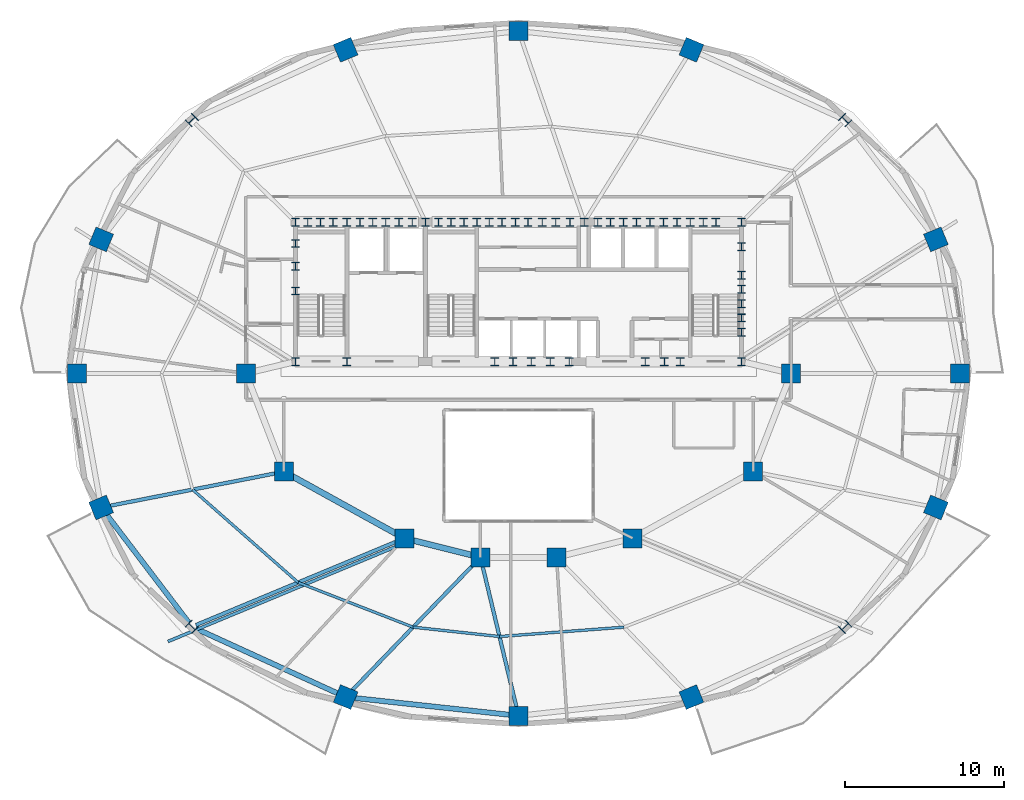
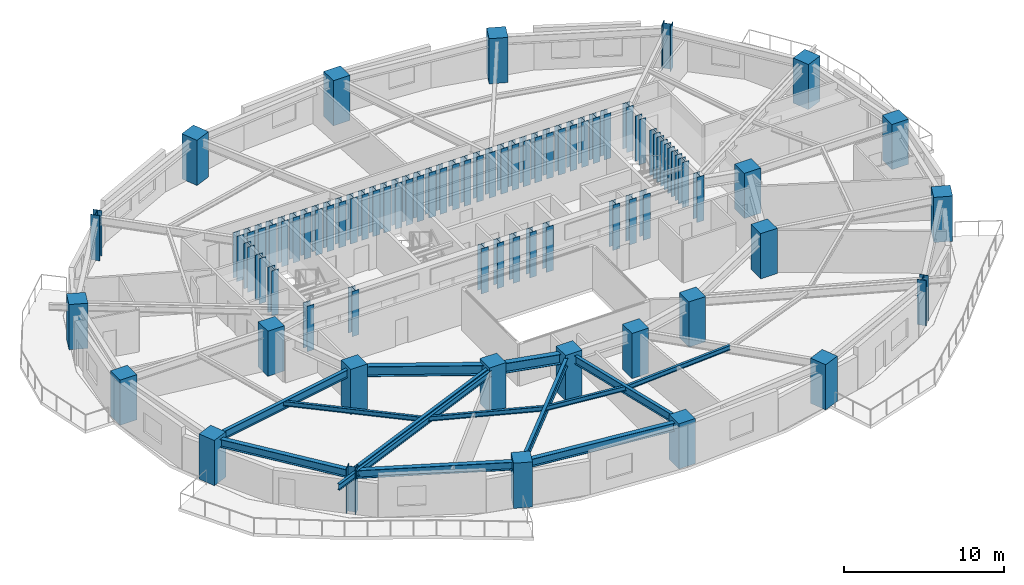
# One storey, part 1 of 13: 78 columns, 14 beams.
"""IFC4 building model written with IfcOpenShell, lengths in metres."""

from ifc_helpers import new_model, si_unit, direction, frame, origin, origin_2d, place, context, subcontext, project, spatial, rectangle, i_section, extrude, material, material_profile, profile_set, type_object, element, save


model = new_model("IFC4")

# Units and contexts
model_context = context("Model", 3, precision=1e-05, world=origin(), true_north=direction((0.0, 1.0)))
body_context = subcontext(model_context, "Body", "Model", "MODEL_VIEW")
ifc_project = project(units=[si_unit("LENGTHUNIT", "METRE"), si_unit("AREAUNIT", "SQUARE_METRE"), si_unit("VOLUMEUNIT", "CUBIC_METRE"), si_unit("PLANEANGLEUNIT", "RADIAN"), si_unit("MASSUNIT", "GRAM", prefix="KILO")], contexts=[model_context])

# Site, building, storey
site_placement = place(None, origin())
site = spatial("IfcSite", under=ifc_project, at=site_placement, CompositionType="ELEMENT")
building_placement = place(site_placement, origin())
building = spatial("IfcBuilding", under=site, at=building_placement, Name="Haldorwick Loom Tower", CompositionType="ELEMENT")
storey_placement = place(building_placement, frame((0.0, 0.0, 124.25)))
storey = spatial("IfcBuildingStorey", under=building, at=storey_placement, Name="L33", CompositionType="ELEMENT", Elevation=124.25)

# Columns
ifc_material_1 = material(Name="Concrete C60 (60 MPa)", Category="concrete")
ifc_material_profile_1 = material_profile(ifc_material_1, rectangle(XDim=1.199951171875, YDim=1.199951171875, at=origin_2d()), Name="RC1200X1200", Category="concrete")
ifc_profile_set_1 = profile_set([ifc_material_profile_1], Name="Concrete C60 (60 MPa)")
column_type_1 = type_object("IfcColumnType", Name="STR-COL-RC1200", PredefinedType="COLUMN", material=ifc_profile_set_1)
for number, where, z_axis, x_axis, name in (
    (1, (53.199951171875, 26.0, 0.0), (0.0, 0.0, 1.0), (1.0, 0.0, 0.0), "L33 Inner Column IC-01"),
    (2, (50.800048828125, 19.800048828125, 0.0), (0.0, 0.0, 1.0), (1.0, 0.0, 0.0), "L33 Inner Column IC-02"),
    (3, (43.199951171875, 15.60009765625, 0.0), (0.0, 0.0, 1.0), (1.0, 0.0, 0.0), "L33 Inner Column IC-03"),
    (4, (38.39990234375, 14.39990234375, 0.0), (0.0, 0.0, 1.0), (1.0, 0.0, 0.0), "L33 Inner Column IC-04"),
    (5, (33.60009765625, 14.39990234375, 0.0), (0.0, 0.0, 1.0), (1.0, 0.0, 0.0), "L33 Inner Column IC-05"),
    (6, (28.800048828125, 15.60009765625, 0.0), (0.0, 0.0, 1.0), (1.0, 0.0, 0.0), "L33 Inner Column IC-06"),
    (7, (21.199951171875, 19.800048828125, 0.0), (0.0, 0.0, 1.0), (1.0, 0.0, 0.0), "L33 Inner Column IC-07"),
    (8, (18.800048828125, 26.0, 0.0), (0.0, 0.0, 1.0), (1.0, 0.0, 0.0), "L33 Inner Column IC-08"),
    (9, (63.857666015625, 26.0, 0.0), (0.0, 0.0, 1.0), (1.0, 0.0, 0.0), "L33 Perimeter Pier Column P01"),
    (10, (62.33056640625, 34.457275390625, 0.0), (0.0, 0.0, 1.0), (0.923879532511, 0.382683432365, 0.0), "L33 Perimeter Pier Column P02"),
    (11, (46.906494140625, 46.417724609375, 0.0), (0.0, 0.0, 1.0), (0.382683432365, 0.923879532511, 0.0), "L33 Perimeter Pier Column P04"),
    (12, (36.0, 47.598388671875, 0.0), (0.0, 0.0, 1.0), (0.0, 1.0, 0.0), "L33 Perimeter Pier Column P05"),
    (13, (25.093505859375, 46.417724609375, 0.0), (0.0, 0.0, 1.0), (-0.382683432365, 0.923879532511, 0.0), "L33 Perimeter Pier Column P06"),
    (14, (9.66943359375, 34.457275390625, 0.0), (0.0, 0.0, 1.0), (-0.923879532511, 0.382683432365, 0.0), "L33 Perimeter Pier Column P08"),
    (15, (8.142333984375, 26.0, 0.0), (0.0, 0.0, 1.0), (-1.0, 0.0, 0.0), "L33 Perimeter Pier Column P09"),
    (16, (9.66943359375, 17.542724609375, 0.0), (0.0, 0.0, 1.0), (-0.923879532511, -0.382683432365, 0.0), "L33 Perimeter Pier Column P10"),
    (17, (25.093505859375, 5.582275390625, 0.0), (0.0, 0.0, 1.0), (-0.382683432365, -0.923879532511, 0.0), "L33 Perimeter Pier Column P12"),
    (18, (36.0, 4.401611328125, 0.0), (0.0, 0.0, 1.0), (0.0, -1.0, 0.0), "L33 Perimeter Pier Column P13"),
    (19, (46.906494140625, 5.582275390625, 0.0), (0.0, 0.0, 1.0), (0.382683432365, -0.923879532511, 0.0), "L33 Perimeter Pier Column P14"),
    (20, (62.33056640625, 17.542724609375, 0.0), (0.0, 0.0, 1.0), (0.923879532511, -0.382683432365, 0.0), "L33 Perimeter Pier Column P16"),
):
    element("IfcColumn", number, at=place(storey_placement, frame(where, z_axis=z_axis, x_axis=x_axis)), inside=storey, type_object=column_type_1, Name=name, PredefinedType="COLUMN", context=body_context, shape_type="SweptSolid", body=[
        extrude(rectangle(XDim=1.199951171875, YDim=1.199951171875, at=origin_2d()), origin(), (0.0, 0.0, 1.0), 3.449951171875),
    ])
ifc_material_2 = material(Name="Steel CSA G40.21 350WT", Category="steel")
ifc_material_profile_2 = material_profile(ifc_material_2, i_section(OverallWidth=0.5, OverallDepth=0.5, WebThickness=0.02197265625, FlangeThickness=0.031982421875, at=origin_2d()), Name="WWF500X500", Category="steel")
ifc_profile_set_2 = profile_set([ifc_material_profile_2], Name="Steel CSA G40.21 350WT")
column_type_2 = type_object("IfcColumnType", Name="STR-COL-WWF500", PredefinedType="COLUMN", material=ifc_profile_set_2)
for number, where, z_axis, x_axis, name in (
    (21, (21.929931640625, 35.550048828125, 0.0), (0.0, 0.0, 1.0), (1.0, 0.0, 0.0), "L33 Core Pilaster CB-01"),
    (22, (23.5, 35.550048828125, 0.0), (0.0, 0.0, 1.0), (1.0, 0.0, 0.0), "L33 Core Pilaster CB-02"),
    (23, (25.169921875, 35.550048828125, 0.0), (0.0, 0.0, 1.0), (1.0, 0.0, 0.0), "L33 Core Pilaster CB-03"),
    (24, (26.800048828125, 35.550048828125, 0.0), (0.0, 0.0, 1.0), (1.0, 0.0, 0.0), "L33 Core Pilaster CB-04"),
    (25, (28.449951171875, 35.550048828125, 0.0), (0.0, 0.0, 1.0), (1.0, 0.0, 0.0), "L33 Core Pilaster CB-05"),
    (26, (30.1298828125, 35.550048828125, 0.0), (0.0, 0.0, 1.0), (1.0, 0.0, 0.0), "L33 Core Pilaster CB-06"),
    (27, (31.75, 35.550048828125, 0.0), (0.0, 0.0, 1.0), (1.0, 0.0, 0.0), "L33 Core Pilaster CB-07"),
    (28, (33.3701171875, 35.550048828125, 0.0), (0.0, 0.0, 1.0), (1.0, 0.0, 0.0), "L33 Core Pilaster CB-08"),
    (29, (34.949951171875, 35.550048828125, 0.0), (0.0, 0.0, 1.0), (1.0, 0.0, 0.0), "L33 Core Pilaster CB-09"),
    (30, (36.60009765625, 35.550048828125, 0.0), (0.0, 0.0, 1.0), (1.0, 0.0, 0.0), "L33 Core Pilaster CB-10"),
    (31, (38.35009765625, 35.550048828125, 0.0), (0.0, 0.0, 1.0), (1.0, 0.0, 0.0), "L33 Core Pilaster CB-11"),
    (32, (40.14990234375, 35.550048828125, 0.0), (0.0, 0.0, 1.0), (1.0, 0.0, 0.0), "L33 Core Pilaster CB-12"),
    (33, (41.800048828125, 35.550048828125, 0.0), (0.0, 0.0, 1.0), (1.0, 0.0, 0.0), "L33 Core Pilaster CB-13"),
    (34, (43.449951171875, 35.550048828125, 0.0), (0.0, 0.0, 1.0), (1.0, 0.0, 0.0), "L33 Core Pilaster CB-14"),
    (35, (45.14990234375, 35.550048828125, 0.0), (0.0, 0.0, 1.0), (1.0, 0.0, 0.0), "L33 Core Pilaster CB-15"),
    (36, (46.830078125, 35.550048828125, 0.0), (0.0, 0.0, 1.0), (1.0, 0.0, 0.0), "L33 Core Pilaster CB-16"),
    (37, (48.449951171875, 35.550048828125, 0.0), (0.0, 0.0, 1.0), (1.0, 0.0, 0.0), "L33 Core Pilaster CB-17"),
    (38, (50.070068359375, 35.550048828125, 0.0), (0.0, 0.0, 1.0), (1.0, 0.0, 0.0), "L33 Core Pilaster CB-18"),
    (39, (21.929931640625, 26.75, 0.0), (0.0, 0.0, 1.0), (1.0, 0.0, 0.0), "L33 Core Pilaster CB-19"),
    (40, (25.169921875, 26.75, 0.0), (0.0, 0.0, 1.0), (1.0, 0.0, 0.0), "L33 Core Pilaster CB-20"),
    (41, (34.5, 26.75, 0.0), (0.0, 0.0, 1.0), (1.0, 0.0, 0.0), "L33 Core Pilaster CB-21"),
    (42, (36.800048828125, 26.75, 0.0), (0.0, 0.0, 1.0), (1.0, 0.0, 0.0), "L33 Core Pilaster CB-22"),
    (43, (39.199951171875, 26.75, 0.0), (0.0, 0.0, 1.0), (1.0, 0.0, 0.0), "L33 Core Pilaster CB-23"),
    (44, (45.199951171875, 26.75, 0.0), (0.0, 0.0, 1.0), (1.0, 0.0, 0.0), "L33 Core Pilaster CB-24"),
    (45, (50.070068359375, 26.75, 0.0), (0.0, 0.0, 1.0), (1.0, 0.0, 0.0), "L33 Core Pilaster CB-25"),
    (46, (21.929931640625, 31.199951171875, 0.0), (0.0, 0.0, 1.0), (1.0, 0.0, 0.0), "L33 Core Pilaster CB-26"),
    (47, (21.929931640625, 32.75, 0.0), (0.0, 0.0, 1.0), (1.0, 0.0, 0.0), "L33 Core Pilaster CB-27"),
    (48, (21.929931640625, 34.199951171875, 0.0), (0.0, 0.0, 1.0), (1.0, 0.0, 0.0), "L33 Core Pilaster CB-28"),
    (49, (50.070068359375, 28.60009765625, 0.0), (0.0, 0.0, 1.0), (1.0, 0.0, 0.0), "L33 Core Pilaster CB-29"),
    (50, (50.070068359375, 30.39990234375, 0.0), (0.0, 0.0, 1.0), (1.0, 0.0, 0.0), "L33 Core Pilaster CB-30"),
    (51, (50.070068359375, 32.199951171875, 0.0), (0.0, 0.0, 1.0), (1.0, 0.0, 0.0), "L33 Core Pilaster CB-31"),
    (52, (50.070068359375, 34.0, 0.0), (0.0, 0.0, 1.0), (1.0, 0.0, 0.0), "L33 Core Pilaster CB-32"),
    (53, (22.699951171875, 35.550048828125, 0.0), (0.0, 0.0, 1.0), (1.0, 0.0, 0.0), "L33 Core Pilaster CB-33"),
    (54, (27.6201171875, 35.550048828125, 0.0), (0.0, 0.0, 1.0), (1.0, 0.0, 0.0), "L33 Core Pilaster CB-34"),
    (55, (32.550048828125, 35.550048828125, 0.0), (0.0, 0.0, 1.0), (1.0, 0.0, 0.0), "L33 Core Pilaster CB-35"),
    (56, (37.5, 35.550048828125, 0.0), (0.0, 0.0, 1.0), (1.0, 0.0, 0.0), "L33 Core Pilaster CB-36"),
    (57, (42.6201171875, 35.550048828125, 0.0), (0.0, 0.0, 1.0), (1.0, 0.0, 0.0), "L33 Core Pilaster CB-37"),
    (58, (47.64990234375, 35.550048828125, 0.0), (0.0, 0.0, 1.0), (1.0, 0.0, 0.0), "L33 Core Pilaster CB-38"),
    (59, (24.300048828125, 35.550048828125, 0.0), (0.0, 0.0, 1.0), (1.0, 0.0, 0.0), "L33 Core Pilaster CB-39"),
    (60, (26.0, 35.550048828125, 0.0), (0.0, 0.0, 1.0), (1.0, 0.0, 0.0), "L33 Core Pilaster CB-40"),
    (61, (29.300048828125, 35.550048828125, 0.0), (0.0, 0.0, 1.0), (1.0, 0.0, 0.0), "L33 Core Pilaster CB-41"),
    (62, (30.949951171875, 35.550048828125, 0.0), (0.0, 0.0, 1.0), (1.0, 0.0, 0.0), "L33 Core Pilaster CB-42"),
    (63, (34.14990234375, 35.550048828125, 0.0), (0.0, 0.0, 1.0), (1.0, 0.0, 0.0), "L33 Core Pilaster CB-43"),
    (64, (35.800048828125, 35.550048828125, 0.0), (0.0, 0.0, 1.0), (1.0, 0.0, 0.0), "L33 Core Pilaster CB-44"),
    (65, (39.25, 35.550048828125, 0.0), (0.0, 0.0, 1.0), (1.0, 0.0, 0.0), "L33 Core Pilaster CB-45"),
    (66, (41.0, 35.550048828125, 0.0), (0.0, 0.0, 1.0), (1.0, 0.0, 0.0), "L33 Core Pilaster CB-46"),
    (67, (44.300048828125, 35.550048828125, 0.0), (0.0, 0.0, 1.0), (1.0, 0.0, 0.0), "L33 Core Pilaster CB-47"),
    (68, (46.0, 35.550048828125, 0.0), (0.0, 0.0, 1.0), (1.0, 0.0, 0.0), "L33 Core Pilaster CB-48"),
    (69, (50.070068359375, 29.5, 0.0), (0.0, 0.0, 1.0), (1.0, 0.0, 0.0), "L33 Core Pilaster CB-49"),
    (70, (50.070068359375, 31.300048828125, 0.0), (0.0, 0.0, 1.0), (1.0, 0.0, 0.0), "L33 Core Pilaster CB-50"),
    (71, (35.64990234375, 26.75, 0.0), (0.0, 0.0, 1.0), (1.0, 0.0, 0.0), "L33 Core Pilaster CB-51"),
    (72, (38.0, 26.75, 0.0), (0.0, 0.0, 1.0), (1.0, 0.0, 0.0), "L33 Core Pilaster CB-52"),
    (73, (44.0, 26.75, 0.0), (0.0, 0.0, 1.0), (1.0, 0.0, 0.0), "L33 Core Pilaster CB-53"),
    (74, (46.199951171875, 26.75, 0.0), (0.0, 0.0, 1.0), (1.0, 0.0, 0.0), "L33 Core Pilaster CB-54"),
):
    element("IfcColumn", number, at=place(storey_placement, frame(where, z_axis=z_axis, x_axis=x_axis)), inside=storey, type_object=column_type_2, Name=name, PredefinedType="COLUMN", context=body_context, shape_type="SweptSolid", body=[
        extrude(i_section(OverallWidth=0.5, OverallDepth=0.5, WebThickness=0.02197265625, FlangeThickness=0.031982421875, at=origin_2d()), origin(), (0.0, 0.0, 1.0), 3.449951171875),
    ])
ifc_material_profile_3 = material_profile(ifc_material_2, i_section(OverallWidth=0.60009765625, OverallDepth=0.60009765625, WebThickness=0.02490234375, FlangeThickness=0.035888671875, at=origin_2d()), Name="WWF600X600", Category="steel")
ifc_profile_set_3 = profile_set([ifc_material_profile_3], Name="Steel CSA G40.21 350WT")
column_type_3 = type_object("IfcColumnType", Name="STR-COL-WWF600", PredefinedType="COLUMN", material=ifc_profile_set_3)
for number, where, z_axis, x_axis, name in (
    (75, (56.606689453125, 41.981689453125, 0.0), (0.0, 0.0, 1.0), (0.707106781187, 0.707106781187, 0.0), "L33 Perimeter Pier Column P03"),
    (76, (15.393310546875, 41.981689453125, 0.0), (0.0, 0.0, 1.0), (-0.707106781187, 0.707106781187, 0.0), "L33 Perimeter Pier Column P07"),
    (77, (15.393310546875, 10.018310546875, 0.0), (0.0, 0.0, 1.0), (-0.707106781187, -0.707106781187, 0.0), "L33 Perimeter Pier Column P11"),
    (78, (56.606689453125, 10.018310546875, 0.0), (0.0, 0.0, 1.0), (0.707106781187, -0.707106781187, 0.0), "L33 Perimeter Pier Column P15"),
):
    element("IfcColumn", number, at=place(storey_placement, frame(where, z_axis=z_axis, x_axis=x_axis)), inside=storey, type_object=column_type_3, Name=name, PredefinedType="COLUMN", context=body_context, shape_type="SweptSolid", body=[
        extrude(i_section(OverallWidth=0.60009765625, OverallDepth=0.60009765625, WebThickness=0.02490234375, FlangeThickness=0.035888671875, at=origin_2d()), origin(), (0.0, 0.0, 1.0), 3.449951171875),
    ])

# Beams
ifc_material_3 = material(Name="Steel CSA G40.21 350W", Category="steel")
ifc_material_profile_4 = material_profile(ifc_material_3, i_section(OverallWidth=0.193115234375, OverallDepth=0.466064453125, WebThickness=0.011474609375, FlangeThickness=0.01904296875, at=origin_2d()), Name="W460X97", Category="steel")
ifc_profile_set_4 = profile_set([ifc_material_profile_4], Name="Steel CSA G40.21 350W")
beam_type_1 = type_object("IfcBeamType", Name="STR-BM-BAL460", PredefinedType="BEAM", material=ifc_profile_set_4)
beam_1_placement = place(storey_placement, frame((28.427490234375, 15.1416015625, 2.97705078125), z_axis=(-0.923185561192, -0.38435454935, 0.0), x_axis=(0.38435454935, -0.923185561192, 0.0)))
element("IfcBeam", 79, at=beam_1_placement, inside=storey, type_object=beam_type_1, Name="L33 Continuous Back-Spanned Balcony Beam 2", PredefinedType="BEAM", context=body_context, shape_type="SweptSolid", body=[
    extrude(i_section(OverallWidth=0.193115234375, OverallDepth=0.466064453125, WebThickness=0.011474609375, FlangeThickness=0.01904296875, at=origin_2d()), origin(), (0.0, 0.0, 1.0), 15.752197265625),
])
ifc_material_profile_5 = material_profile(ifc_material_3, i_section(OverallWidth=0.172119140625, OverallDepth=0.35791015625, WebThickness=0.0078125, FlangeThickness=0.01318359375, at=origin_2d()), Name="W360X57", Category="steel")
ifc_profile_set_5 = profile_set([ifc_material_profile_5], Name="Steel CSA G40.21 350W")
beam_type_2 = type_object("IfcBeamType", Name="STR-BM-J360", PredefinedType="JOIST", material=ifc_profile_set_5)
beam_2_placement = place(storey_placement, frame((15.434814453125, 18.67138671875, 3.031005859375), z_axis=(0.750721157729, -0.660619212057, 0.0), x_axis=(0.660619212057, 0.750721157729, 0.0)))
element("IfcBeam", 80, at=beam_2_placement, inside=storey, type_object=beam_type_2, Name="L33 Mid-Bay Secondary Joist 10", PredefinedType="JOIST", context=body_context, shape_type="SweptSolid", body=[
    extrude(i_section(OverallWidth=0.172119140625, OverallDepth=0.35791015625, WebThickness=0.0078125, FlangeThickness=0.01318359375, at=origin_2d()), origin(), (0.0, 0.0, 1.0), 8.8740234375),
])
beam_3_placement = place(storey_placement, frame((22.0966796875, 12.80908203125, 3.031005859375), z_axis=(0.932072983051, -0.362270553959, 0.0), x_axis=(0.362270553959, 0.932072983051, 0.0)))
element("IfcBeam", 81, at=beam_3_placement, inside=storey, type_object=beam_type_2, Name="L33 Mid-Bay Secondary Joist 11", PredefinedType="JOIST", context=body_context, shape_type="SweptSolid", body=[
    extrude(i_section(OverallWidth=0.172119140625, OverallDepth=0.35791015625, WebThickness=0.0078125, FlangeThickness=0.01318359375, at=origin_2d()), origin(), (0.0, 0.0, 1.0), 7.7783203125),
])
beam_4_placement = place(storey_placement, frame((29.3466796875, 9.9912109375, 3.031005859375), z_axis=(0.994191869342, -0.107622148904, 0.0), x_axis=(0.107622148904, 0.994191869342, 0.0)))
element("IfcBeam", 82, at=beam_4_placement, inside=storey, type_object=beam_type_2, Name="L33 Mid-Bay Secondary Joist 12", PredefinedType="JOIST", context=body_context, shape_type="SweptSolid", body=[
    extrude(i_section(OverallWidth=0.172119140625, OverallDepth=0.35791015625, WebThickness=0.0078125, FlangeThickness=0.01318359375, at=origin_2d()), origin(), (0.0, 0.0, 1.0), 5.485107421875),
])
beam_5_placement = place(storey_placement, frame((34.800048828125, 9.40087890625, 3.031005859375), z_axis=(0.99718663731, 0.074958724439, 0.0), x_axis=(-0.074958724439, 0.99718663731, 0.0)))
element("IfcBeam", 83, at=beam_5_placement, inside=storey, type_object=beam_type_2, Name="L33 Mid-Bay Secondary Joist 13", PredefinedType="JOIST", context=body_context, shape_type="SweptSolid", body=[
    extrude(i_section(OverallWidth=0.172119140625, OverallDepth=0.35791015625, WebThickness=0.0078125, FlangeThickness=0.01318359375, at=origin_2d()), origin(), (0.0, 0.0, 1.0), 7.87548828125),
])
ifc_material_profile_6 = material_profile(ifc_material_3, i_section(OverallWidth=0.324951171875, OverallDepth=0.615966796875, WebThickness=0.013916015625, FlangeThickness=0.021484375, at=origin_2d()), Name="W610X174", Category="steel")
ifc_profile_set_6 = profile_set([ifc_material_profile_6], Name="Steel CSA G40.21 350W")
beam_type_3 = type_object("IfcBeamType", Name="STR-BM-SP610", PredefinedType="SPANDREL", material=ifc_profile_set_6)
beam_6_placement = place(storey_placement, frame((9.984130859375, 17.12890625, 2.902099609375), z_axis=(0.605453508047, -0.795880675475, 0.0), x_axis=(0.795880675475, 0.605453508047, 0.0)))
element("IfcBeam", 84, at=beam_6_placement, inside=storey, type_object=beam_type_3, Name="L33 Perimeter Spandrel 10", PredefinedType="SPANDREL", context=body_context, shape_type="SweptSolid", body=[
    extrude(i_section(OverallWidth=0.324951171875, OverallDepth=0.615966796875, WebThickness=0.013916015625, FlangeThickness=0.021484375, at=origin_2d()), origin(), (0.0, 0.0, 1.0), 8.6591796875),
])
beam_7_placement = place(storey_placement, frame((15.643310546875, 9.90380859375, 2.902099609375), z_axis=(0.909423969306, -0.415870225011, 0.0), x_axis=(0.415870225011, 0.909423969306, 0.0)))
element("IfcBeam", 85, at=beam_7_placement, inside=storey, type_object=beam_type_3, Name="L33 Perimeter Spandrel 11", PredefinedType="SPANDREL", context=body_context, shape_type="SweptSolid", body=[
    extrude(i_section(OverallWidth=0.324951171875, OverallDepth=0.615966796875, WebThickness=0.013916015625, FlangeThickness=0.021484375, at=origin_2d()), origin(), (0.0, 0.0, 1.0), 9.871337890625),
])
beam_8_placement = place(storey_placement, frame((25.610595703125, 5.5263671875, 2.902099609375), z_axis=(0.994190135627, -0.107638163409, 0.0), x_axis=(0.107638163409, 0.994190135627, 0.0)))
element("IfcBeam", 86, at=beam_8_placement, inside=storey, type_object=beam_type_3, Name="L33 Perimeter Spandrel 12", PredefinedType="SPANDREL", context=body_context, shape_type="SweptSolid", body=[
    extrude(i_section(OverallWidth=0.324951171875, OverallDepth=0.615966796875, WebThickness=0.013916015625, FlangeThickness=0.021484375, at=origin_2d()), origin(), (0.0, 0.0, 1.0), 9.929931640625),
])
ifc_material_profile_7 = material_profile(ifc_material_3, i_section(OverallWidth=0.22998046875, OverallDepth=0.616943359375, WebThickness=0.01318359375, FlangeThickness=0.022216796875, at=origin_2d()), Name="W610X140", Category="steel")
ifc_profile_set_7 = profile_set([ifc_material_profile_7], Name="Steel CSA G40.21 350W")
beam_type_4 = type_object("IfcBeamType", Name="STR-BM-W610B", PredefinedType="BEAM", material=ifc_profile_set_7)
beam_9_placement = place(storey_placement, frame((20.689697265625, 19.7001953125, 2.901611328125), z_axis=(-0.981369581426, -0.192129499692, 0.0), x_axis=(0.192129499692, -0.981369581426, 0.0)))
element("IfcBeam", 87, at=beam_9_placement, inside=storey, type_object=beam_type_4, Name="L33 Radial Floor Girder 10", PredefinedType="BEAM", context=body_context, shape_type="SweptSolid", body=[
    extrude(i_section(OverallWidth=0.22998046875, OverallDepth=0.616943359375, WebThickness=0.01318359375, FlangeThickness=0.022216796875, at=origin_2d()), origin(), (0.0, 0.0, 1.0), 10.70947265625),
])
beam_10_placement = place(storey_placement, frame((28.31982421875, 15.400146484375, 2.901611328125), z_axis=(-0.923183704764, -0.384359008297, 0.0), x_axis=(0.384359008297, -0.923183704764, 0.0)))
element("IfcBeam", 88, at=beam_10_placement, inside=storey, type_object=beam_type_4, Name="L33 Radial Floor Girder 11", PredefinedType="BEAM", context=body_context, shape_type="SweptSolid", body=[
    extrude(i_section(OverallWidth=0.22998046875, OverallDepth=0.616943359375, WebThickness=0.01318359375, FlangeThickness=0.022216796875, at=origin_2d()), origin(), (0.0, 0.0, 1.0), 13.72705078125),
])
beam_11_placement = place(storey_placement, frame((33.239013671875, 14.02587890625, 2.901611328125), z_axis=(-0.694287071595, -0.719698174387, 0.0), x_axis=(0.719698174387, -0.694287071595, 0.0)))
element("IfcBeam", 89, at=beam_11_placement, inside=storey, type_object=beam_type_4, Name="L33 Radial Floor Girder 12", PredefinedType="BEAM", context=body_context, shape_type="SweptSolid", body=[
    extrude(i_section(OverallWidth=0.22998046875, OverallDepth=0.616943359375, WebThickness=0.01318359375, FlangeThickness=0.022216796875, at=origin_2d()), origin(), (0.0, 0.0, 1.0), 11.212158203125),
])
beam_12_placement = place(storey_placement, frame((33.721435546875, 13.894287109375, 2.901611328125), z_axis=(0.233406920764, -0.972379148964, 0.0), x_axis=(0.972379148964, 0.233406920764, 0.0)))
element("IfcBeam", 90, at=beam_12_placement, inside=storey, type_object=beam_type_4, Name="L33 Radial Floor Girder 13", PredefinedType="BEAM", context=body_context, shape_type="SweptSolid", body=[
    extrude(i_section(OverallWidth=0.22998046875, OverallDepth=0.616943359375, WebThickness=0.01318359375, FlangeThickness=0.022216796875, at=origin_2d()), origin(), (0.0, 0.0, 1.0), 9.242431640625),
])
ifc_material_profile_8 = material_profile(ifc_material_3, i_section(OverallWidth=0.381103515625, OverallDepth=0.77294921875, WebThickness=0.0166015625, FlangeThickness=0.027587890625, at=origin_2d()), Name="W760X257", Category="steel")
ifc_profile_set_8 = profile_set([ifc_material_profile_8], Name="Steel CSA G40.21 350W")
beam_type_5 = type_object("IfcBeamType", Name="STR-BM-W760", PredefinedType="BEAM", material=ifc_profile_set_8)
beam_13_placement = place(storey_placement, frame((33.095458984375, 14.526123046875, 2.823486328125), z_axis=(-0.970142500145, 0.242535625036, 0.0), x_axis=(-0.242535625036, -0.970142500145, 0.0)))
element("IfcBeam", 91, at=beam_13_placement, inside=storey, type_object=beam_type_5, Name="L33 Inner Ring Girder 6", PredefinedType="BEAM", context=body_context, shape_type="SweptSolid", body=[
    extrude(i_section(OverallWidth=0.381103515625, OverallDepth=0.77294921875, WebThickness=0.0166015625, FlangeThickness=0.027587890625, at=origin_2d()), origin(), (0.0, 0.0, 1.0), 3.90771484375),
])
beam_14_placement = place(storey_placement, frame((28.344970703125, 15.8515625, 2.823486328125), z_axis=(-0.875244382146, 0.483680960471, 0.0), x_axis=(-0.483680960471, -0.875244382146, 0.0)))
element("IfcBeam", 92, at=beam_14_placement, inside=storey, type_object=beam_type_5, Name="L33 Inner Ring Girder 7", PredefinedType="BEAM", context=body_context, shape_type="SweptSolid", body=[
    extrude(i_section(OverallWidth=0.381103515625, OverallDepth=0.77294921875, WebThickness=0.0166015625, FlangeThickness=0.027587890625, at=origin_2d()), origin(), (0.0, 0.0, 1.0), 7.6435546875),
])

save(model, "model.ifc")
